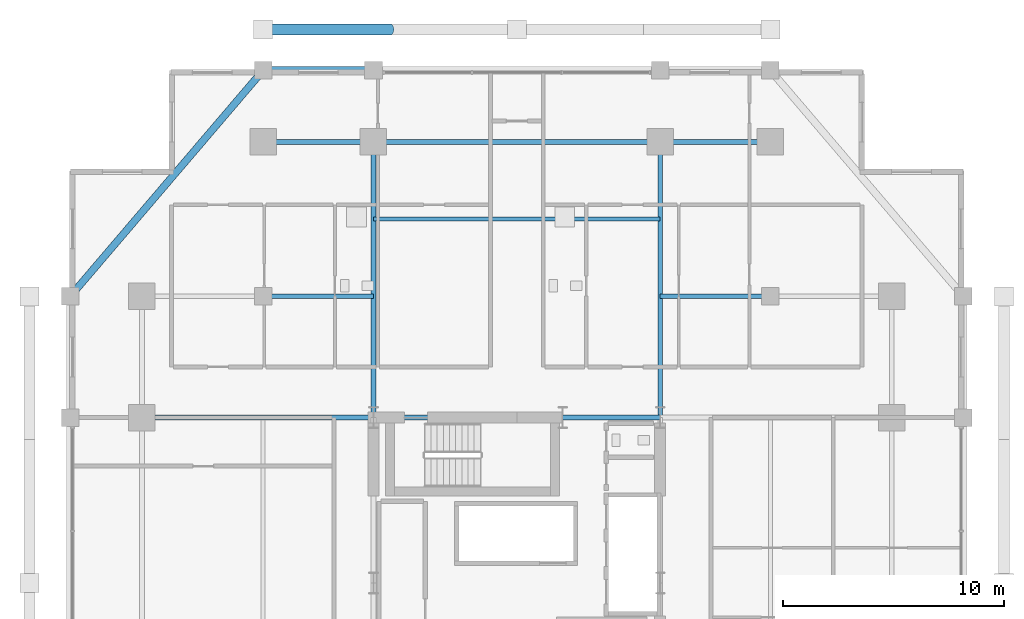
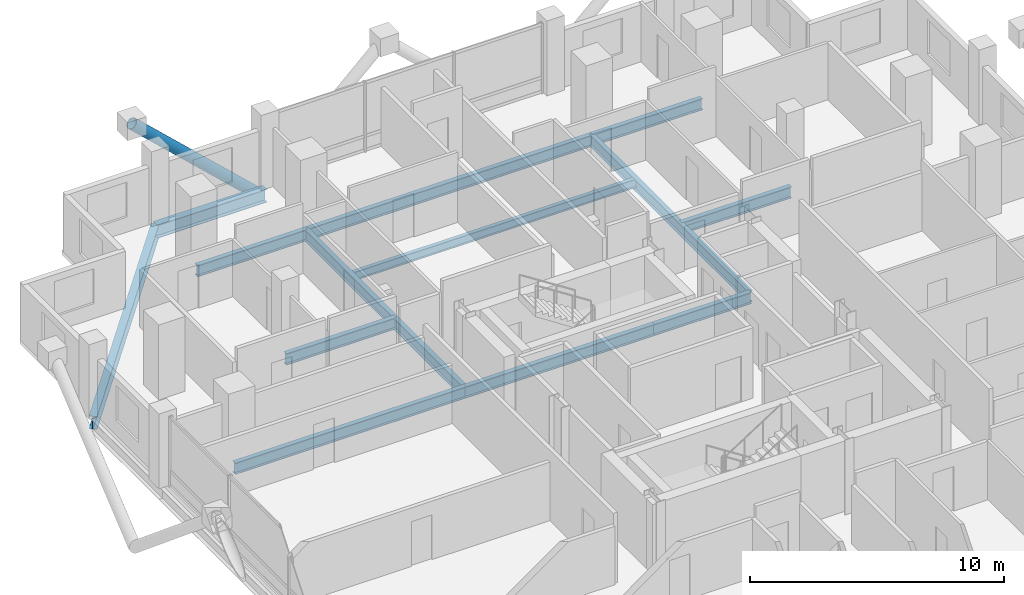
# One storey, part 12 of 23: 13 beams, 1 member.
"""IFC4 building model written with IfcOpenShell, lengths in metres."""

import ifcopenshell
import ifcopenshell.guid

model = None  # the IFC model being written
_history = None  # IfcOwnerHistory: only IFC2X3 demands one
_inside = {}  # id of a spatial element -> (the spatial element, [elements in it])
_under = {}  # id of a project, library or spatial element -> (it, [spatial elements below it])
_declared = {}  # id of a project -> (the project, [libraries it declares])
_typed = {}  # id of a type object -> (the type object, [elements of that type])
_made_of = {}  # id of a material, layer set ... -> (it, [elements and type objects made of it])


def new_model(schema):
    """Start an empty IFC model of exactly this schema.

    Asked for "IFC4X3", IfcOpenShell would pick the latest addendum, in which some entities
    have other attributes; the version numbers below select the first issue.
    IFC2X3 requires an IfcOwnerHistory on every rooted entity: one is made here for all.
    """
    global model, _history
    if schema == "IFC4X3":
        model = ifcopenshell.file(schema_version=(4, 3, 0, 0))
    else:
        model = ifcopenshell.file(schema=schema)
    _inside.clear()
    _under.clear()
    _declared.clear()
    _typed.clear()
    _made_of.clear()
    _history = None
    if model.schema == "IFC2X3":
        org = make("IfcOrganization", Name="unknown")
        user = make(
            "IfcPersonAndOrganization",
            ThePerson=make("IfcPerson", FamilyName="unknown"),
            TheOrganization=org,
        )
        app = make(
            "IfcApplication",
            ApplicationDeveloper=org,
            Version="unknown",
            ApplicationFullName="unknown",
            ApplicationIdentifier="unknown",
        )
        _history = make(
            "IfcOwnerHistory",
            OwningUser=user,
            OwningApplication=app,
            ChangeAction="ADDED",
            CreationDate=0,
        )
    return model


def make(cls, **values):
    """One entity of the class cls with the attributes given. An attribute that is None is left unset."""
    return model.create_entity(
        cls, **{name: value for name, value in values.items() if value is not None}
    )


def rooted(cls, **values):
    """An entity with a GlobalId (a new one), such as an element, a storey or a relation."""
    return make(cls, GlobalId=ifcopenshell.guid.new(), OwnerHistory=_history, **values)


def si_unit(unit_type, name, prefix=None):
    """IfcSIUnit, for example si_unit("LENGTHUNIT", "METRE", prefix="MILLI")."""
    return make("IfcSIUnit", UnitType=unit_type, Prefix=prefix, Name=name)


def assignment(units):
    """IfcUnitAssignment: the units of a project."""
    return None if units is None else make("IfcUnitAssignment", Units=units)


def point(xyz):
    """IfcCartesianPoint."""
    return None if xyz is None else make("IfcCartesianPoint", Coordinates=xyz)


def direction(xyz):
    """IfcDirection."""
    return None if xyz is None else make("IfcDirection", DirectionRatios=xyz)


def frame(location, z_axis=None, x_axis=None):
    """IfcAxis2Placement3D, a coordinate frame: its origin and axes. An axis left out is left unset."""
    return make(
        "IfcAxis2Placement3D",
        Location=point(location),
        Axis=direction(z_axis),
        RefDirection=direction(x_axis),
    )


def frame_2d(location, x_axis=None):
    """IfcAxis2Placement2D, a coordinate frame in the plane: its origin and x axis."""
    return make(
        "IfcAxis2Placement2D", Location=point(location), RefDirection=direction(x_axis)
    )


def origin():
    """The frame at (0, 0, 0) with its axes left unset."""
    return frame((0.0, 0.0, 0.0))


def origin_2d():
    """The frame at (0, 0) in the plane with its x axis left unset."""
    return frame_2d((0.0, 0.0))


def place(relative_to, where):
    """IfcLocalPlacement: puts the frame where relative to a parent placement (None: the world)."""
    return make(
        "IfcLocalPlacement", PlacementRelTo=relative_to, RelativePlacement=where
    )


def context(
    kind, dimensions, precision=None, world=None, true_north=None, identifier=None
):
    """IfcGeometricRepresentationContext, for example the 3D "Model" context."""
    return make(
        "IfcGeometricRepresentationContext",
        ContextIdentifier=identifier,
        ContextType=kind,
        CoordinateSpaceDimension=dimensions,
        Precision=precision,
        WorldCoordinateSystem=world,
        TrueNorth=true_north,
    )


def subcontext(parent, identifier, kind, view, scale=None):
    """IfcGeometricRepresentationSubContext, for example "Body" below "Model"."""
    return make(
        "IfcGeometricRepresentationSubContext",
        ContextIdentifier=identifier,
        ContextType=kind,
        ParentContext=parent,
        TargetScale=scale,
        TargetView=view,
    )


def project(units=None, contexts=None):
    """IfcProject with its units and contexts."""
    return rooted(
        "IfcProject",
        Name="project",
        RepresentationContexts=contexts,
        UnitsInContext=assignment(units),
    )


def spatial(cls, under=None, at=None, **own):
    """A site, building, storey or space (cls), placed at a placement, below another one or the project."""
    s = rooted(cls, ObjectPlacement=at, **own)
    if under is not None:
        _under.setdefault(under.id(), (under, []))[1].append(s)
    return s


def profile(cls, at=None, kind="AREA", **sizes):
    """A parametric profile (cls). Its sizes go by their IFC names, for example OverallWidth=200.0."""
    return make(cls, ProfileType=kind, Position=at, **sizes)


def hollow_circle(**sizes):
    """IfcCircleHollowProfileDef."""
    return profile("IfcCircleHollowProfileDef", **sizes)


def i_section(**sizes):
    """IfcIShapeProfileDef."""
    return profile("IfcIShapeProfileDef", **sizes)


def extrude(swept, where, along, depth):
    """IfcExtrudedAreaSolid: the profile swept, set in the frame where, extruded along a direction by depth."""
    return make(
        "IfcExtrudedAreaSolid",
        SweptArea=swept,
        Position=where,
        ExtrudedDirection=direction(along),
        Depth=depth,
    )


def shape(context_of_items, identifier, shape_type, items):
    """IfcShapeRepresentation: the items that make up one representation, for example the "Body"."""
    return make(
        "IfcShapeRepresentation",
        ContextOfItems=context_of_items,
        RepresentationIdentifier=identifier,
        RepresentationType=shape_type,
        Items=items,
    )


def material(Name=None, Category=None):
    """IfcMaterial."""
    return make("IfcMaterial", Name=Name, Category=Category)


def material_profile(
    of_material, cross_section, Name=None, Category=None, Priority=None
):
    """IfcMaterialProfile: a cross section and its material."""
    return make(
        "IfcMaterialProfile",
        Name=Name,
        Material=of_material,
        Profile=cross_section,
        Priority=Priority,
        Category=Category,
    )


def profile_set(profiles, Name=None, composite=None):
    """IfcMaterialProfileSet."""
    return make(
        "IfcMaterialProfileSet",
        Name=Name,
        MaterialProfiles=profiles,
        CompositeProfile=composite,
    )


def made_of(thing, what):
    """Note that an element or type object is made of a material, layer set ...; save() writes the relation."""
    if what is not None:
        _made_of.setdefault(what.id(), (what, []))[1].append(thing)
    return thing


def type_object(cls, material=None, **own):
    """A type object (cls), such as IfcWallType, which elements share."""
    return made_of(rooted(cls, **own), material)


def element(
    cls,
    number,
    at=None,
    inside=None,
    cuts=None,
    type_object=None,
    material=None,
    context=None,
    identifier="Body",
    shape_type=None,
    held_by="IfcProductDefinitionShape",
    body=None,
    shapes=None,
    **own,
):
    """One element of the class cls, such as IfcWall. Its Tag is "e" and its number.

    at: its placement. inside: the storey or other place that contains it. cuts: it is an
    opening in that element (IfcRelVoidsElement). A single representation is given by context,
    identifier, shape_type and body (its items); several are given by shapes. held_by: the class
    of the entity that holds the representations. save() writes the other relations.
    """
    e = rooted(cls, Tag="e%d" % number, ObjectPlacement=at, **own)
    if body is not None:
        shapes = [shape(context, identifier, shape_type, body)]
    if shapes is not None:
        e.Representation = make(held_by, Representations=shapes)
    if inside is not None:
        _inside.setdefault(inside.id(), (inside, []))[1].append(e)
    if cuts is not None:
        rooted(
            "IfcRelVoidsElement", RelatingBuildingElement=cuts, RelatedOpeningElement=e
        )
    if type_object is not None:
        _typed.setdefault(type_object.id(), (type_object, []))[1].append(e)
    return made_of(e, material)


def aggregate(whole, parts):
    """IfcRelAggregates: a whole, such as a stair, and the parts it consists of."""
    return rooted("IfcRelAggregates", RelatingObject=whole, RelatedObjects=parts)


def save(model, path):
    """Write the relations noted so far, then the file.

    IfcRelAggregates (storeys below a building ...), IfcRelContainedInSpatialStructure (elements
    in a storey), IfcRelDefinesByType, IfcRelAssociatesMaterial and IfcRelDeclares: one each for
    every whole, place, type object, material and project.
    """
    for whole, parts in _under.values():
        aggregate(whole, parts)
    for where, things in _inside.values():
        rooted(
            "IfcRelContainedInSpatialStructure",
            RelatedElements=things,
            RelatingStructure=where,
        )
    for kind, things in _typed.values():
        rooted("IfcRelDefinesByType", RelatedObjects=things, RelatingType=kind)
    for what, things in _made_of.values():
        rooted("IfcRelAssociatesMaterial", RelatedObjects=things, RelatingMaterial=what)
    for by, libraries in _declared.values():
        rooted("IfcRelDeclares", RelatingContext=by, RelatedDefinitions=libraries)
    model.write(path)


model = new_model("IFC4")

# Units and contexts
model_context = context("Model", 3, precision=1e-05, world=origin(), true_north=direction((0.0, 1.0)))
body_context = subcontext(model_context, "Body", "Model", "MODEL_VIEW")
ifc_project = project(units=[si_unit("LENGTHUNIT", "METRE"), si_unit("AREAUNIT", "SQUARE_METRE"), si_unit("VOLUMEUNIT", "CUBIC_METRE"), si_unit("PLANEANGLEUNIT", "RADIAN"), si_unit("MASSUNIT", "GRAM", prefix="KILO")], contexts=[model_context])

# Site, building, storey
site_placement = place(None, origin())
site = spatial("IfcSite", under=ifc_project, at=site_placement, CompositionType="ELEMENT")
building_placement = place(site_placement, origin())
building = spatial("IfcBuilding", under=site, at=building_placement, Name="Barlavira Tower and Art Museum", CompositionType="ELEMENT")
storey_placement = place(building_placement, frame((0.0, 0.0, 151.199951171875)))
storey = spatial("IfcBuildingStorey", under=building, at=storey_placement, Name="L38", CompositionType="ELEMENT", Elevation=151.199951171875)

# Member
ifc_material = material(Name="Steel S355", Category="steel")
ifc_material_profile_1 = material_profile(ifc_material, hollow_circle(Radius=0.25390625, WallThickness=0.022216796875, at=origin_2d()), Name="CHS 508.0x22.2")
ifc_profile_set_1 = profile_set([ifc_material_profile_1], Name="Steel S355")
member_type = type_object("IfcMemberType", Name="Pale-Metal Exoskeleton Diagrid Tube CHS 508x22 Steel S355", PredefinedType="BRACE", material=ifc_profile_set_1)
member_placement = place(storey_placement, frame((-5.75, 25.10009765625, -1.919921875), z_axis=(-0.728950095515, 0.0, 0.684566839869), x_axis=(0.0, -1.0, 0.0)))
element("IfcMember", 1, at=member_placement, inside=storey, type_object=member_type, Name="L38 Exoskeleton Diagrid Tube N", PredefinedType="BRACE", context=body_context, shape_type="SweptSolid", body=[
    extrude(hollow_circle(Radius=0.25390625, WallThickness=0.022216796875, at=origin_2d()), origin(), (0.0, 0.0, 1.0), 7.887939453125),
])

# Beams
ifc_material_profile_2 = material_profile(ifc_material, i_section(OverallWidth=0.327880859375, OverallDepth=0.62890625, WebThickness=0.013916015625, FlangeThickness=0.021484375, at=origin_2d()), Name="W610x174.0")
ifc_profile_set_2 = profile_set([ifc_material_profile_2], Name="Steel S355")
beam_type_1 = type_object("IfcBeamType", Name="Perimeter Spandrel Edge Beam W610x174 Steel S355", PredefinedType="SPANDREL", material=ifc_profile_set_2)
beam_1_placement = place(storey_placement, frame((-11.5, 23.25, -0.534423828125), z_axis=(1.0, 0.0, 0.0), x_axis=(0.0, 1.0, 0.0)))
element("IfcBeam", 2, at=beam_1_placement, inside=storey, type_object=beam_type_1, Name="L38 Spandrel 11", PredefinedType="SPANDREL", context=body_context, shape_type="SweptSolid", body=[
    extrude(i_section(OverallWidth=0.327880859375, OverallDepth=0.62890625, WebThickness=0.013916015625, FlangeThickness=0.021484375, at=origin_2d()), origin(), (0.0, 0.0, 1.0), 5.0),
])
beam_2_placement = place(storey_placement, frame((-11.5, 23.25, -0.534423828125), z_axis=(-0.649262379928, -0.760564502202, 0.0), x_axis=(0.760564502202, -0.649262379928, 0.0)))
element("IfcBeam", 3, at=beam_2_placement, inside=storey, type_object=beam_type_1, Name="L38 Spandrel 12", PredefinedType="SPANDREL", context=body_context, shape_type="SweptSolid", body=[
    extrude(i_section(OverallWidth=0.327880859375, OverallDepth=0.62890625, WebThickness=0.013916015625, FlangeThickness=0.021484375, at=origin_2d()), origin(), (0.0, 0.0, 1.0), 13.476806640625),
])
ifc_material_profile_3 = material_profile(ifc_material, i_section(OverallWidth=0.214111328125, OverallDepth=0.549072265625, WebThickness=0.0146484375, FlangeThickness=0.023681640625, at=origin_2d()), Name="W530x138.0")
ifc_profile_set_3 = profile_set([ifc_material_profile_3], Name="Steel S355")
beam_type_2 = type_object("IfcBeamType", Name="Zone 1 Primary Floor Girder W530x138 Steel S355", PredefinedType="BEAM", material=ifc_profile_set_3)
beam_3_placement = place(storey_placement, frame((-6.5, 7.5, -0.494384765625), z_axis=(1.0, 0.0, 0.0), x_axis=(0.0, 1.0, 0.0)))
element("IfcBeam", 4, at=beam_3_placement, inside=storey, type_object=beam_type_2, Name="L38 Girder C-N1", PredefinedType="BEAM", context=body_context, shape_type="SweptSolid", body=[
    extrude(i_section(OverallWidth=0.214111328125, OverallDepth=0.549072265625, WebThickness=0.0146484375, FlangeThickness=0.023681640625, at=origin_2d()), origin(), (0.0, 0.0, 1.0), 8.580078125),
])
beam_4_placement = place(storey_placement, frame((2.080078125, 7.5, -0.494384765625), z_axis=(1.0, 0.0, 0.0), x_axis=(0.0, 1.0, 0.0)))
element("IfcBeam", 5, at=beam_4_placement, inside=storey, type_object=beam_type_2, Name="L38 Girder C-N2", PredefinedType="BEAM", context=body_context, shape_type="SweptSolid", body=[
    extrude(i_section(OverallWidth=0.214111328125, OverallDepth=0.549072265625, WebThickness=0.0146484375, FlangeThickness=0.023681640625, at=origin_2d()), origin(), (0.0, 0.0, 1.0), 4.419921875),
])
beam_5_placement = place(storey_placement, frame((-11.5, 20.0, -0.494384765625), z_axis=(1.0, 0.0, 0.0), x_axis=(0.0, 1.0, 0.0)))
element("IfcBeam", 6, at=beam_5_placement, inside=storey, type_object=beam_type_2, Name="L38 Girder M-N1", PredefinedType="BEAM", context=body_context, shape_type="SweptSolid", body=[
    extrude(i_section(OverallWidth=0.214111328125, OverallDepth=0.549072265625, WebThickness=0.0146484375, FlangeThickness=0.023681640625, at=origin_2d()), origin(), (0.0, 0.0, 1.0), 5.0),
])
beam_6_placement = place(storey_placement, frame((-6.5, 20.0, -0.494384765625), z_axis=(1.0, 0.0, 0.0), x_axis=(0.0, 1.0, 0.0)))
element("IfcBeam", 7, at=beam_6_placement, inside=storey, type_object=beam_type_2, Name="L38 Girder M-N2", PredefinedType="BEAM", context=body_context, shape_type="SweptSolid", body=[
    extrude(i_section(OverallWidth=0.214111328125, OverallDepth=0.549072265625, WebThickness=0.0146484375, FlangeThickness=0.023681640625, at=origin_2d()), origin(), (0.0, 0.0, 1.0), 13.0),
])
beam_7_placement = place(storey_placement, frame((6.5, 20.0, -0.494384765625), z_axis=(1.0, 0.0, 0.0), x_axis=(0.0, 1.0, 0.0)))
element("IfcBeam", 8, at=beam_7_placement, inside=storey, type_object=beam_type_2, Name="L38 Girder M-N3", PredefinedType="BEAM", context=body_context, shape_type="SweptSolid", body=[
    extrude(i_section(OverallWidth=0.214111328125, OverallDepth=0.549072265625, WebThickness=0.0146484375, FlangeThickness=0.023681640625, at=origin_2d()), origin(), (0.0, 0.0, 1.0), 5.0),
])
for number, where, z_axis, x_axis, name in (
    (9, (-6.5, 7.5, -0.494384765625), (0.0, 1.0, 0.0), (-1.0, 0.0, 0.0), "L38 Girder R-N1"),
    (10, (6.5, 7.5, -0.494384765625), (0.0, 1.0, 0.0), (-1.0, 0.0, 0.0), "L38 Girder R-N2"),
):
    element("IfcBeam", number, at=place(storey_placement, frame(where, z_axis=z_axis, x_axis=x_axis)), inside=storey, type_object=beam_type_2, Name=name, PredefinedType="BEAM", context=body_context, shape_type="SweptSolid", body=[
        extrude(i_section(OverallWidth=0.214111328125, OverallDepth=0.549072265625, WebThickness=0.0146484375, FlangeThickness=0.023681640625, at=origin_2d()), origin(), (0.0, 0.0, 1.0), 12.5),
    ])
beam_8_placement = place(storey_placement, frame((-17.0, 7.5, -0.494384765625), z_axis=(1.0, 0.0, 0.0), x_axis=(0.0, 1.0, 0.0)))
element("IfcBeam", 11, at=beam_8_placement, inside=storey, type_object=beam_type_2, Name="L38 Girder R-W2", PredefinedType="BEAM", context=body_context, shape_type="SweptSolid", body=[
    extrude(i_section(OverallWidth=0.214111328125, OverallDepth=0.549072265625, WebThickness=0.0146484375, FlangeThickness=0.023681640625, at=origin_2d()), origin(), (0.0, 0.0, 1.0), 10.5),
])
for number, where, z_axis, x_axis, name in (
    (12, (-11.5, 13.0, -0.494384765625), (1.0, 0.0, 0.0), (0.0, 1.0, 0.0), "L38 Girder I-N2"),
    (13, (6.5, 13.0, -0.494384765625), (1.0, 0.0, 0.0), (0.0, 1.0, 0.0), "L38 Girder I-N3"),
):
    element("IfcBeam", number, at=place(storey_placement, frame(where, z_axis=z_axis, x_axis=x_axis)), inside=storey, type_object=beam_type_2, Name=name, PredefinedType="BEAM", context=body_context, shape_type="SweptSolid", body=[
        extrude(i_section(OverallWidth=0.214111328125, OverallDepth=0.549072265625, WebThickness=0.0146484375, FlangeThickness=0.023681640625, at=origin_2d()), origin(), (0.0, 0.0, 1.0), 5.0),
    ])
ifc_material_profile_4 = material_profile(ifc_material, i_section(OverallWidth=0.179931640625, OverallDepth=0.4130859375, WebThickness=0.009765625, FlangeThickness=0.01611328125, at=origin_2d()), Name="W410x75.0")
ifc_profile_set_4 = profile_set([ifc_material_profile_4], Name="Steel S355")
beam_type_3 = type_object("IfcBeamType", Name="Zone 2 Composite Floor Joist W410x75 Steel S355", PredefinedType="JOIST", material=ifc_profile_set_4)
beam_9_placement = place(storey_placement, frame((-6.5, 16.5, -0.426513671875), z_axis=(1.0, 0.0, 0.0), x_axis=(0.0, 1.0, 0.0)))
element("IfcBeam", 14, at=beam_9_placement, inside=storey, type_object=beam_type_3, Name="L38 Joist C2", PredefinedType="JOIST", context=body_context, shape_type="SweptSolid", body=[
    extrude(i_section(OverallWidth=0.179931640625, OverallDepth=0.4130859375, WebThickness=0.009765625, FlangeThickness=0.01611328125, at=origin_2d()), origin(), (0.0, 0.0, 1.0), 13.0),
])

save(model, "model.ifc")
